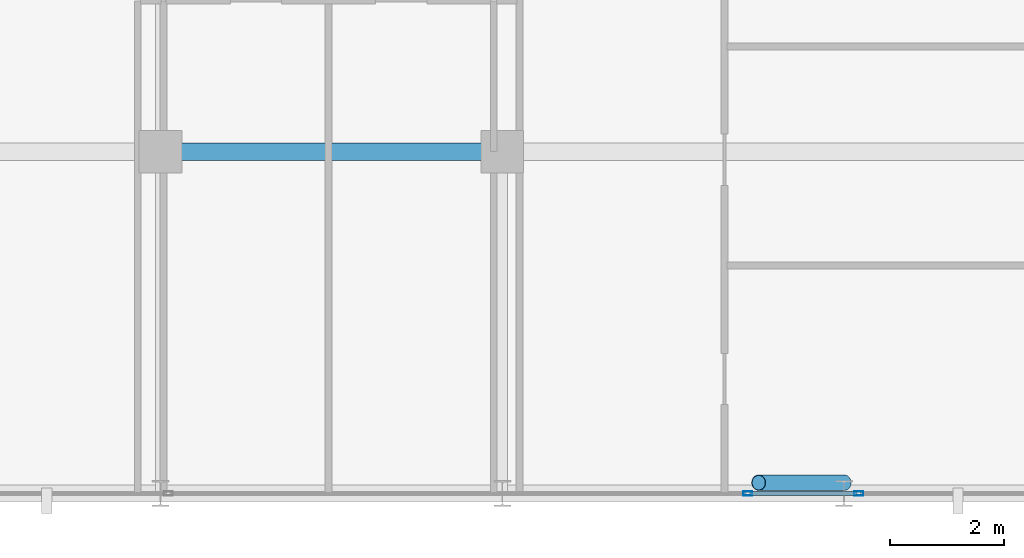
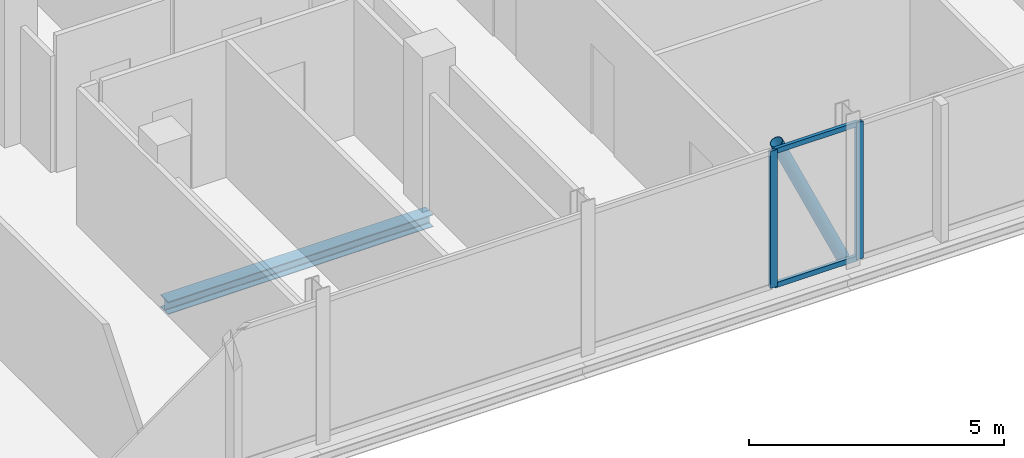
# One storey, part 10 of 28: 5 members, 1 beam, 2 elements without a shape of their own.
"""IFC4 building model written with IfcOpenShell, lengths in metres."""

from ifc_helpers import new_model, si_unit, direction, frame, origin, origin_2d, place, context, subcontext, project, spatial, hollow_rectangle, hollow_circle, i_section, extrude, material, layer, layer_set, material_profile, profile_set, type_object, element, aggregate, save


model = new_model("IFC4")

# Units and contexts
model_context = context("Model", 3, precision=1e-05, world=origin(), true_north=direction((0.0, 1.0)))
body_context = subcontext(model_context, "Body", "Model", "MODEL_VIEW")
ifc_project = project(units=[si_unit("LENGTHUNIT", "METRE"), si_unit("AREAUNIT", "SQUARE_METRE"), si_unit("VOLUMEUNIT", "CUBIC_METRE"), si_unit("PLANEANGLEUNIT", "RADIAN"), si_unit("MASSUNIT", "GRAM", prefix="KILO")], contexts=[model_context])

# Site, building, storey
site_placement = place(None, origin())
site = spatial("IfcSite", under=ifc_project, at=site_placement, CompositionType="ELEMENT")
building_placement = place(site_placement, origin())
building = spatial("IfcBuilding", under=site, at=building_placement, Name="Keshet Zoharim Tower", CompositionType="ELEMENT")
storey_placement = place(building_placement, frame((0.0, 0.0, 233.89990234375)))
storey = spatial("IfcBuildingStorey", under=building, at=storey_placement, Name="L58", CompositionType="ELEMENT", Elevation=233.89990234375)

# Beam
ifc_material_1 = material(Name="Steel S355", Category="steel")
ifc_material_profile_1 = material_profile(ifc_material_1, i_section(OverallWidth=0.300048828125, OverallDepth=0.300048828125, WebThickness=0.010986328125, FlangeThickness=0.01904296875, FilletRadius=0.027099609375, at=origin_2d()), Name="HEB300")
ifc_profile_set_1 = profile_set([ifc_material_profile_1], Name="Steel S355")
beam_type = type_object("IfcBeamType", Name="BM-PRI-HB300", PredefinedType="BEAM", material=ifc_profile_set_1)
beam_placement = place(storey_placement, frame((33.0, 6.699951171875, -0.4599609375), z_axis=(1.0, 0.0, 0.0), x_axis=(0.0, 1.0, 0.0)))
element("IfcBeam", 1, at=beam_placement, inside=storey, type_object=beam_type, Name="L58 Primary Girder X-007", PredefinedType="BEAM", context=body_context, shape_type="SweptSolid", body=[
    extrude(i_section(OverallWidth=0.300048828125, OverallDepth=0.300048828125, WebThickness=0.010986328125, FlangeThickness=0.01904296875, FilletRadius=0.027099609375, at=origin_2d()), origin(), (0.0, 0.0, 1.0), 6.0),
])

# Curtain wall, member
ifc_material_2 = material(Name="Aluminium 6063-T6", Category="aluminium")
ifc_layer = layer(ifc_material_2, 0.139892578125)
ifc_layer_set = layer_set([ifc_layer], Name="Aluminium 6063-T6")
curtain_wall_type = type_object("IfcCurtainWallType", Name="CW-SYS-05", PredefinedType="NOTDEFINED", material=ifc_layer_set)
curtain_wall_1_placement = place(storey_placement, origin())
curtain_wall_1 = element("IfcCurtainWall", 2, at=curtain_wall_1_placement, inside=storey, type_object=curtain_wall_type, Name="L58 Unitised Curtain Wall 06", PredefinedType="NOTDEFINED")
ifc_material_profile_2 = material_profile(ifc_material_2, hollow_rectangle(XDim=0.074951171875, YDim=0.159912109375, WallThickness=0.00390625, at=origin_2d()), Name="MUL-75x160")
ifc_profile_set_2 = profile_set([ifc_material_profile_2], Name="Aluminium 6063-T6")
member_type_1 = type_object("IfcMemberType", Name="CWM-M15", PredefinedType="MULLION", material=ifc_profile_set_2)
member_1_placement = place(storey_placement, frame((45.259033203125, 0.699951171875, 0.0), z_axis=(0.0, 0.0, 1.0), x_axis=(0.0, -1.0, 0.0)))
member_1 = element("IfcMember", 3, at=member_1_placement, type_object=member_type_1, Name="CW-05 mullion 2", PredefinedType="MULLION", context=body_context, shape_type="SweptSolid", body=[
    extrude(hollow_rectangle(XDim=0.074951171875, YDim=0.159912109375, WallThickness=0.00390625, at=origin_2d()), origin(), (0.0, 0.0, 1.0), 3.280029296875),
])
aggregate(curtain_wall_1, [member_1])

# Curtain wall, members
curtain_wall_2_placement = place(storey_placement, origin())
curtain_wall_2 = element("IfcCurtainWall", 4, at=curtain_wall_2_placement, inside=storey, type_object=curtain_wall_type, Name="L58 Unitised Curtain Wall 06 Part 2", PredefinedType="NOTDEFINED")
member_2_placement = place(storey_placement, frame((43.310791015625, 0.699951171875, 0.0), z_axis=(0.0, 0.0, 1.0), x_axis=(0.0, -1.0, 0.0)))
member_2 = element("IfcMember", 5, at=member_2_placement, type_object=member_type_1, Name="CW-05 mullion 2", PredefinedType="MULLION", context=body_context, shape_type="SweptSolid", body=[
    extrude(hollow_rectangle(XDim=0.074951171875, YDim=0.159912109375, WallThickness=0.00390625, at=origin_2d()), origin(), (0.0, 0.0, 1.0), 3.280029296875),
])
ifc_material_profile_3 = material_profile(ifc_material_2, hollow_rectangle(XDim=0.074951171875, YDim=0.1201171875, WallThickness=0.00390625, at=origin_2d()), Name="TRN-75x120")
ifc_profile_set_3 = profile_set([ifc_material_profile_3], Name="Aluminium 6063-T6")
member_type_2 = type_object("IfcMemberType", Name="CWT-T12", PredefinedType="USERDEFINED", material=ifc_profile_set_3)
member_3_placement = place(storey_placement, frame((45.22412109375, 0.699951171875, 0.03515625), z_axis=(-1.0, 0.0, 0.0), x_axis=(0.0, -1.0, 0.0)))
member_3 = element("IfcMember", 6, at=member_3_placement, type_object=member_type_2, Name="CW-05 transom 1.1", ObjectType="TRANSOM", PredefinedType="USERDEFINED", context=body_context, shape_type="SweptSolid", body=[
    extrude(hollow_rectangle(XDim=0.074951171875, YDim=0.1201171875, WallThickness=0.00390625, at=origin_2d()), origin(), (0.0, 0.0, 1.0), 1.878173828125),
])
member_4_placement = place(storey_placement, frame((45.22412109375, 0.699951171875, 3.2451171875), z_axis=(-1.0, 0.0, 0.0), x_axis=(0.0, -1.0, 0.0)))
member_4 = element("IfcMember", 7, at=member_4_placement, type_object=member_type_2, Name="CW-05 transom 1.2", ObjectType="TRANSOM", PredefinedType="USERDEFINED", context=body_context, shape_type="SweptSolid", body=[
    extrude(hollow_rectangle(XDim=0.074951171875, YDim=0.1201171875, WallThickness=0.00390625, at=origin_2d()), origin(), (0.0, 0.0, 1.0), 1.878173828125),
])
aggregate(curtain_wall_2, [member_2, member_3, member_4])

# Member
ifc_material_profile_4 = material_profile(ifc_material_1, hollow_circle(Radius=0.136474609375, WallThickness=0.010009765625, at=origin_2d()), Name="CHS273x10")
ifc_profile_set_4 = profile_set([ifc_material_profile_4], Name="Steel S355")
member_type_3 = type_object("IfcMemberType", Name="MB-BR-C273", PredefinedType="BRACE", material=ifc_profile_set_4)
member_5_placement = place(storey_placement, frame((45.0, 0.889892578125, 0.0), z_axis=(-0.415887731958, 0.0, 0.909415963356), x_axis=(0.0, -1.0, 0.0)))
element("IfcMember", 8, at=member_5_placement, inside=storey, type_object=member_type_3, Name="L58 Perimeter Tube Brace 03", PredefinedType="BRACE", context=body_context, shape_type="SweptSolid", body=[
    extrude(hollow_circle(Radius=0.136474609375, WallThickness=0.010009765625, at=origin_2d()), origin(), (0.0, 0.0, 1.0), 3.606689453125),
])

save(model, "model.ifc")
